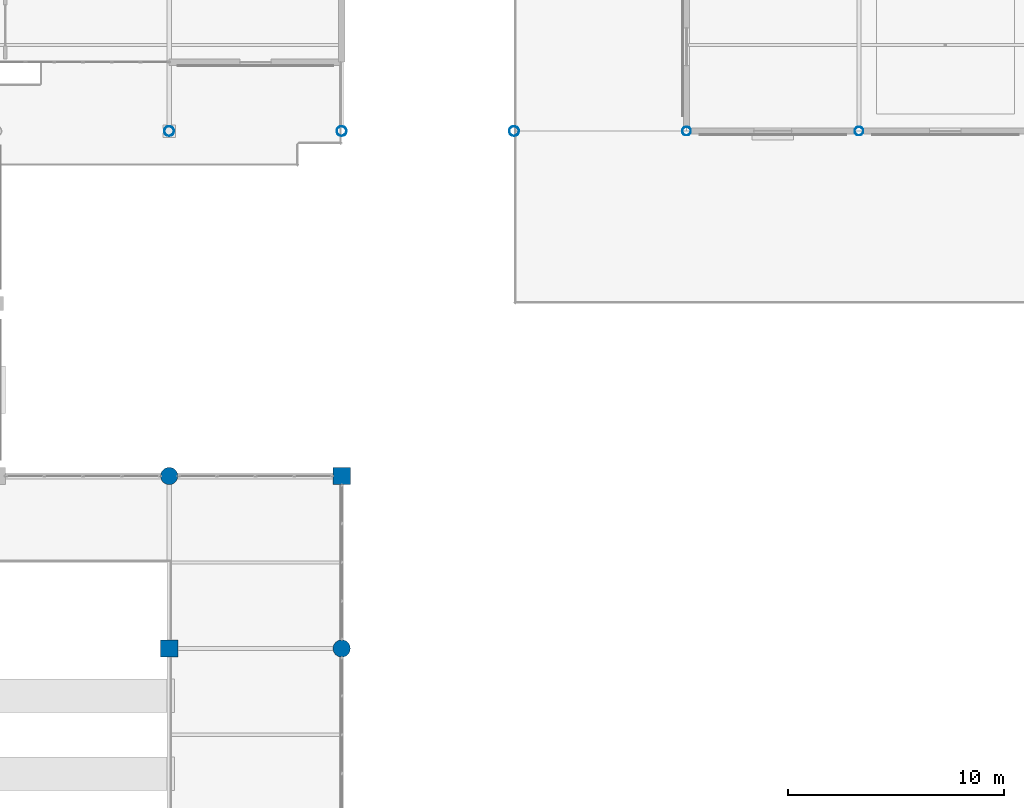
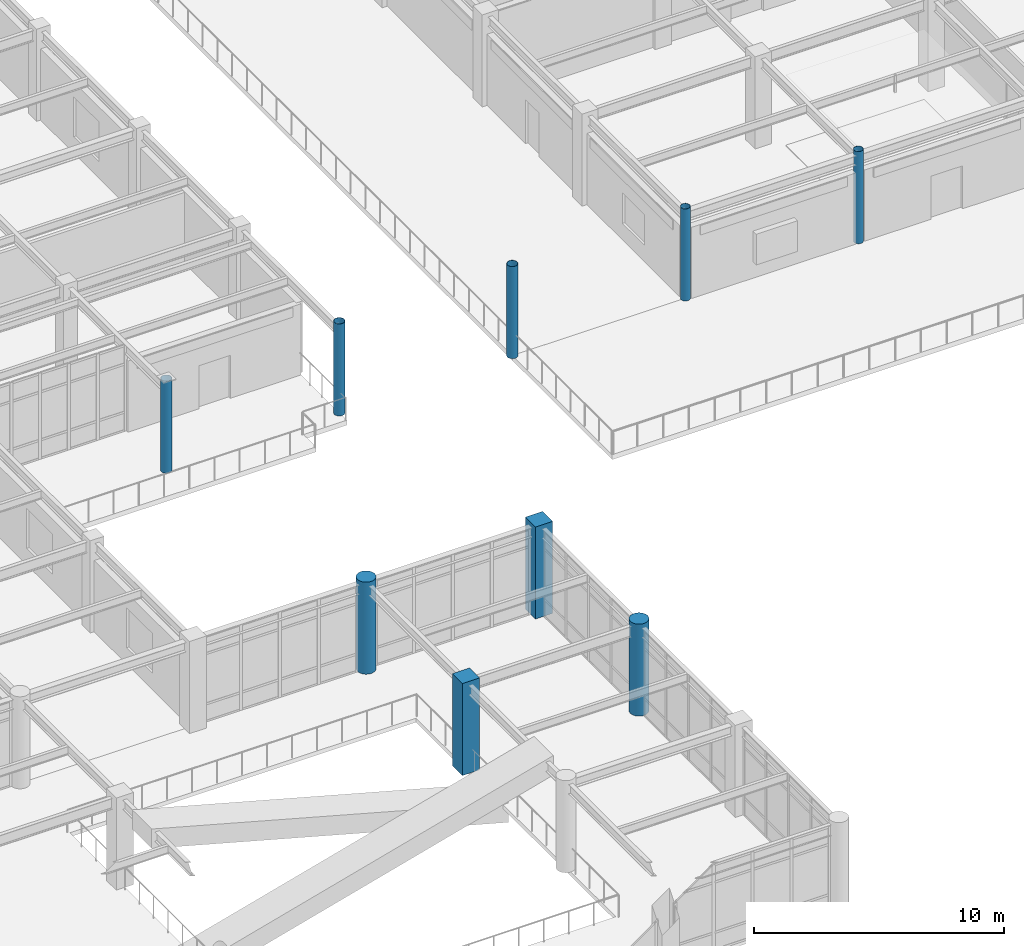
# One storey, part 11 of 75: 9 columns.
"""IFC4 building model written with IfcOpenShell, lengths in metres."""

import ifcopenshell
import ifcopenshell.guid

model = None  # the IFC model being written
_history = None  # IfcOwnerHistory: only IFC2X3 demands one
_inside = {}  # id of a spatial element -> (the spatial element, [elements in it])
_under = {}  # id of a project, library or spatial element -> (it, [spatial elements below it])
_declared = {}  # id of a project -> (the project, [libraries it declares])
_typed = {}  # id of a type object -> (the type object, [elements of that type])
_made_of = {}  # id of a material, layer set ... -> (it, [elements and type objects made of it])


def new_model(schema):
    """Start an empty IFC model of exactly this schema.

    Asked for "IFC4X3", IfcOpenShell would pick the latest addendum, in which some entities
    have other attributes; the version numbers below select the first issue.
    IFC2X3 requires an IfcOwnerHistory on every rooted entity: one is made here for all.
    """
    global model, _history
    if schema == "IFC4X3":
        model = ifcopenshell.file(schema_version=(4, 3, 0, 0))
    else:
        model = ifcopenshell.file(schema=schema)
    _inside.clear()
    _under.clear()
    _declared.clear()
    _typed.clear()
    _made_of.clear()
    _history = None
    if model.schema == "IFC2X3":
        org = make("IfcOrganization", Name="unknown")
        user = make(
            "IfcPersonAndOrganization",
            ThePerson=make("IfcPerson", FamilyName="unknown"),
            TheOrganization=org,
        )
        app = make(
            "IfcApplication",
            ApplicationDeveloper=org,
            Version="unknown",
            ApplicationFullName="unknown",
            ApplicationIdentifier="unknown",
        )
        _history = make(
            "IfcOwnerHistory",
            OwningUser=user,
            OwningApplication=app,
            ChangeAction="ADDED",
            CreationDate=0,
        )
    return model


def make(cls, **values):
    """One entity of the class cls with the attributes given. An attribute that is None is left unset."""
    return model.create_entity(
        cls, **{name: value for name, value in values.items() if value is not None}
    )


def rooted(cls, **values):
    """An entity with a GlobalId (a new one), such as an element, a storey or a relation."""
    return make(cls, GlobalId=ifcopenshell.guid.new(), OwnerHistory=_history, **values)


def si_unit(unit_type, name, prefix=None):
    """IfcSIUnit, for example si_unit("LENGTHUNIT", "METRE", prefix="MILLI")."""
    return make("IfcSIUnit", UnitType=unit_type, Prefix=prefix, Name=name)


def assignment(units):
    """IfcUnitAssignment: the units of a project."""
    return None if units is None else make("IfcUnitAssignment", Units=units)


def point(xyz):
    """IfcCartesianPoint."""
    return None if xyz is None else make("IfcCartesianPoint", Coordinates=xyz)


def direction(xyz):
    """IfcDirection."""
    return None if xyz is None else make("IfcDirection", DirectionRatios=xyz)


def frame(location, z_axis=None, x_axis=None):
    """IfcAxis2Placement3D, a coordinate frame: its origin and axes. An axis left out is left unset."""
    return make(
        "IfcAxis2Placement3D",
        Location=point(location),
        Axis=direction(z_axis),
        RefDirection=direction(x_axis),
    )


def frame_2d(location, x_axis=None):
    """IfcAxis2Placement2D, a coordinate frame in the plane: its origin and x axis."""
    return make(
        "IfcAxis2Placement2D", Location=point(location), RefDirection=direction(x_axis)
    )


def origin():
    """The frame at (0, 0, 0) with its axes left unset."""
    return frame((0.0, 0.0, 0.0))


def origin_2d():
    """The frame at (0, 0) in the plane with its x axis left unset."""
    return frame_2d((0.0, 0.0))


def place(relative_to, where):
    """IfcLocalPlacement: puts the frame where relative to a parent placement (None: the world)."""
    return make(
        "IfcLocalPlacement", PlacementRelTo=relative_to, RelativePlacement=where
    )


def context(
    kind, dimensions, precision=None, world=None, true_north=None, identifier=None
):
    """IfcGeometricRepresentationContext, for example the 3D "Model" context."""
    return make(
        "IfcGeometricRepresentationContext",
        ContextIdentifier=identifier,
        ContextType=kind,
        CoordinateSpaceDimension=dimensions,
        Precision=precision,
        WorldCoordinateSystem=world,
        TrueNorth=true_north,
    )


def subcontext(parent, identifier, kind, view, scale=None):
    """IfcGeometricRepresentationSubContext, for example "Body" below "Model"."""
    return make(
        "IfcGeometricRepresentationSubContext",
        ContextIdentifier=identifier,
        ContextType=kind,
        ParentContext=parent,
        TargetScale=scale,
        TargetView=view,
    )


def project(units=None, contexts=None):
    """IfcProject with its units and contexts."""
    return rooted(
        "IfcProject",
        Name="project",
        RepresentationContexts=contexts,
        UnitsInContext=assignment(units),
    )


def spatial(cls, under=None, at=None, **own):
    """A site, building, storey or space (cls), placed at a placement, below another one or the project."""
    s = rooted(cls, ObjectPlacement=at, **own)
    if under is not None:
        _under.setdefault(under.id(), (under, []))[1].append(s)
    return s


def profile(cls, at=None, kind="AREA", **sizes):
    """A parametric profile (cls). Its sizes go by their IFC names, for example OverallWidth=200.0."""
    return make(cls, ProfileType=kind, Position=at, **sizes)


def rectangle(**sizes):
    """IfcRectangleProfileDef."""
    return profile("IfcRectangleProfileDef", **sizes)


def circle(**sizes):
    """IfcCircleProfileDef."""
    return profile("IfcCircleProfileDef", **sizes)


def hollow_circle(**sizes):
    """IfcCircleHollowProfileDef."""
    return profile("IfcCircleHollowProfileDef", **sizes)


def extrude(swept, where, along, depth):
    """IfcExtrudedAreaSolid: the profile swept, set in the frame where, extruded along a direction by depth."""
    return make(
        "IfcExtrudedAreaSolid",
        SweptArea=swept,
        Position=where,
        ExtrudedDirection=direction(along),
        Depth=depth,
    )


def shape(context_of_items, identifier, shape_type, items):
    """IfcShapeRepresentation: the items that make up one representation, for example the "Body"."""
    return make(
        "IfcShapeRepresentation",
        ContextOfItems=context_of_items,
        RepresentationIdentifier=identifier,
        RepresentationType=shape_type,
        Items=items,
    )


def material(Name=None, Category=None):
    """IfcMaterial."""
    return make("IfcMaterial", Name=Name, Category=Category)


def material_profile(
    of_material, cross_section, Name=None, Category=None, Priority=None
):
    """IfcMaterialProfile: a cross section and its material."""
    return make(
        "IfcMaterialProfile",
        Name=Name,
        Material=of_material,
        Profile=cross_section,
        Priority=Priority,
        Category=Category,
    )


def profile_set(profiles, Name=None, composite=None):
    """IfcMaterialProfileSet."""
    return make(
        "IfcMaterialProfileSet",
        Name=Name,
        MaterialProfiles=profiles,
        CompositeProfile=composite,
    )


def made_of(thing, what):
    """Note that an element or type object is made of a material, layer set ...; save() writes the relation."""
    if what is not None:
        _made_of.setdefault(what.id(), (what, []))[1].append(thing)
    return thing


def type_object(cls, material=None, **own):
    """A type object (cls), such as IfcWallType, which elements share."""
    return made_of(rooted(cls, **own), material)


def element(
    cls,
    number,
    at=None,
    inside=None,
    cuts=None,
    type_object=None,
    material=None,
    context=None,
    identifier="Body",
    shape_type=None,
    held_by="IfcProductDefinitionShape",
    body=None,
    shapes=None,
    **own,
):
    """One element of the class cls, such as IfcWall. Its Tag is "e" and its number.

    at: its placement. inside: the storey or other place that contains it. cuts: it is an
    opening in that element (IfcRelVoidsElement). A single representation is given by context,
    identifier, shape_type and body (its items); several are given by shapes. held_by: the class
    of the entity that holds the representations. save() writes the other relations.
    """
    e = rooted(cls, Tag="e%d" % number, ObjectPlacement=at, **own)
    if body is not None:
        shapes = [shape(context, identifier, shape_type, body)]
    if shapes is not None:
        e.Representation = make(held_by, Representations=shapes)
    if inside is not None:
        _inside.setdefault(inside.id(), (inside, []))[1].append(e)
    if cuts is not None:
        rooted(
            "IfcRelVoidsElement", RelatingBuildingElement=cuts, RelatedOpeningElement=e
        )
    if type_object is not None:
        _typed.setdefault(type_object.id(), (type_object, []))[1].append(e)
    return made_of(e, material)


def aggregate(whole, parts):
    """IfcRelAggregates: a whole, such as a stair, and the parts it consists of."""
    return rooted("IfcRelAggregates", RelatingObject=whole, RelatedObjects=parts)


def save(model, path):
    """Write the relations noted so far, then the file.

    IfcRelAggregates (storeys below a building ...), IfcRelContainedInSpatialStructure (elements
    in a storey), IfcRelDefinesByType, IfcRelAssociatesMaterial and IfcRelDeclares: one each for
    every whole, place, type object, material and project.
    """
    for whole, parts in _under.values():
        aggregate(whole, parts)
    for where, things in _inside.values():
        rooted(
            "IfcRelContainedInSpatialStructure",
            RelatedElements=things,
            RelatingStructure=where,
        )
    for kind, things in _typed.values():
        rooted("IfcRelDefinesByType", RelatedObjects=things, RelatingType=kind)
    for what, things in _made_of.values():
        rooted("IfcRelAssociatesMaterial", RelatedObjects=things, RelatingMaterial=what)
    for by, libraries in _declared.values():
        rooted("IfcRelDeclares", RelatingContext=by, RelatedDefinitions=libraries)
    model.write(path)


model = new_model("IFC4")

# Units and contexts
model_context = context("Model", 3, precision=1e-05, world=origin(), true_north=direction((0.0, 1.0)))
body_context = subcontext(model_context, "Body", "Model", "MODEL_VIEW")
ifc_project = project(units=[si_unit("LENGTHUNIT", "METRE"), si_unit("AREAUNIT", "SQUARE_METRE"), si_unit("VOLUMEUNIT", "CUBIC_METRE"), si_unit("PLANEANGLEUNIT", "RADIAN"), si_unit("MASSUNIT", "GRAM", prefix="KILO")], contexts=[model_context])

# Site, building, storey
site_placement = place(None, origin())
site = spatial("IfcSite", under=ifc_project, at=site_placement, CompositionType="ELEMENT")
building_placement = place(site_placement, origin())
building = spatial("IfcBuilding", under=site, at=building_placement, Name="Solmirada Galleria", CompositionType="ELEMENT")
storey_placement = place(building_placement, frame((0.0, 0.0, 19.39990234375)))
storey = spatial("IfcBuildingStorey", under=building, at=storey_placement, Name="L04", CompositionType="ELEMENT", Elevation=19.39990234375)

# Columns
ifc_material_1 = material(Name="Steel S355 / ASTM A500 Grade C", Category="steel")
ifc_material_profile_1 = material_profile(ifc_material_1, hollow_circle(Radius=0.202880859375, WallThickness=0.01171875, at=origin_2d()), Name="HSS16.000X0.500")
ifc_profile_set_1 = profile_set([ifc_material_profile_1], Name="Steel S355 / ASTM A500 Grade C")
column_type_1 = type_object("IfcColumnType", Name="COL-CHS16", PredefinedType="COLUMN", material=ifc_profile_set_1)
for number, where, z_axis, x_axis, name in (
    (1, (128.0, 88.0, 0.0), (0.0, 0.0, 1.0), (1.0, 0.0, 0.0), "Structural column L04-1064"),
    (2, (136.0, 88.0, 0.0), (0.0, 0.0, 1.0), (1.0, 0.0, 0.0), "Structural column L04-1165"),
):
    element("IfcColumn", number, at=place(storey_placement, frame(where, z_axis=z_axis, x_axis=x_axis)), inside=storey, type_object=column_type_1, Name=name, PredefinedType="COLUMN", context=body_context, shape_type="SweptSolid", body=[
        extrude(hollow_circle(Radius=0.202880859375, WallThickness=0.01171875, at=origin_2d()), origin(), (0.0, 0.0, 1.0), 4.5),
    ])
ifc_material_profile_2 = material_profile(ifc_material_1, hollow_circle(Radius=0.228515625, WallThickness=0.01171875, at=origin_2d()), Name="HSS18.000X0.500")
ifc_profile_set_2 = profile_set([ifc_material_profile_2], Name="Steel S355 / ASTM A500 Grade C")
column_type_2 = type_object("IfcColumnType", Name="COL-CHS18", PredefinedType="COLUMN", material=ifc_profile_set_2)
for number, where, z_axis, x_axis, name in (
    (3, (104.0, 88.0, 0.0), (0.0, 0.0, 1.0), (1.0, 0.0, 0.0), "Structural column L04-0774"),
    (4, (112.0, 88.0, 0.0), (0.0, 0.0, 1.0), (1.0, 0.0, 0.0), "Structural column L04-0890"),
    (5, (120.0, 88.0, 0.0), (0.0, 0.0, 1.0), (1.0, 0.0, 0.0), "Structural column L04-0981"),
):
    element("IfcColumn", number, at=place(storey_placement, frame(where, z_axis=z_axis, x_axis=x_axis)), inside=storey, type_object=column_type_2, Name=name, PredefinedType="COLUMN", context=body_context, shape_type="SweptSolid", body=[
        extrude(hollow_circle(Radius=0.228515625, WallThickness=0.01171875, at=origin_2d()), origin(), (0.0, 0.0, 1.0), 4.5),
    ])
ifc_material_2 = material(Name="Concrete C40/50", Category="concrete")
ifc_material_profile_3 = material_profile(ifc_material_2, circle(Radius=0.39990234375, at=origin_2d()), Name="RCCOL800")
ifc_profile_set_3 = profile_set([ifc_material_profile_3], Name="Concrete C40/50")
column_type_3 = type_object("IfcColumnType", Name="COL-CIR800", PredefinedType="COLUMN", material=ifc_profile_set_3)
for number, where, z_axis, x_axis, name in (
    (6, (104.0, 72.0, 0.0), (0.0, 0.0, 1.0), (1.0, 0.0, 0.0), "Structural column L04-0761"),
    (7, (112.0, 64.0, 0.0), (0.0, 0.0, 1.0), (1.0, 0.0, 0.0), "Structural column L04-0868"),
):
    element("IfcColumn", number, at=place(storey_placement, frame(where, z_axis=z_axis, x_axis=x_axis)), inside=storey, type_object=column_type_3, Name=name, PredefinedType="COLUMN", context=body_context, shape_type="SweptSolid", body=[
        extrude(circle(Radius=0.39990234375, at=origin_2d()), origin(), (0.0, 0.0, 1.0), 4.5),
    ])
ifc_material_profile_4 = material_profile(ifc_material_2, rectangle(XDim=0.800048828125, YDim=0.800048828125, at=origin_2d()), Name="RC800X800")
ifc_profile_set_4 = profile_set([ifc_material_profile_4], Name="Concrete C40/50")
column_type_4 = type_object("IfcColumnType", Name="COL-RC800", PredefinedType="COLUMN", material=ifc_profile_set_4)
for number, where, z_axis, x_axis, name in (
    (8, (104.0, 64.0, 0.0), (0.0, 0.0, 1.0), (1.0, 0.0, 0.0), "Structural column L04-0754"),
    (9, (112.0, 72.0, 0.0), (0.0, 0.0, 1.0), (1.0, 0.0, 0.0), "Structural column L04-0877"),
):
    element("IfcColumn", number, at=place(storey_placement, frame(where, z_axis=z_axis, x_axis=x_axis)), inside=storey, type_object=column_type_4, Name=name, PredefinedType="COLUMN", context=body_context, shape_type="SweptSolid", body=[
        extrude(rectangle(XDim=0.800048828125, YDim=0.800048828125, at=origin_2d()), origin(), (0.0, 0.0, 1.0), 4.5),
    ])

save(model, "model.ifc")
